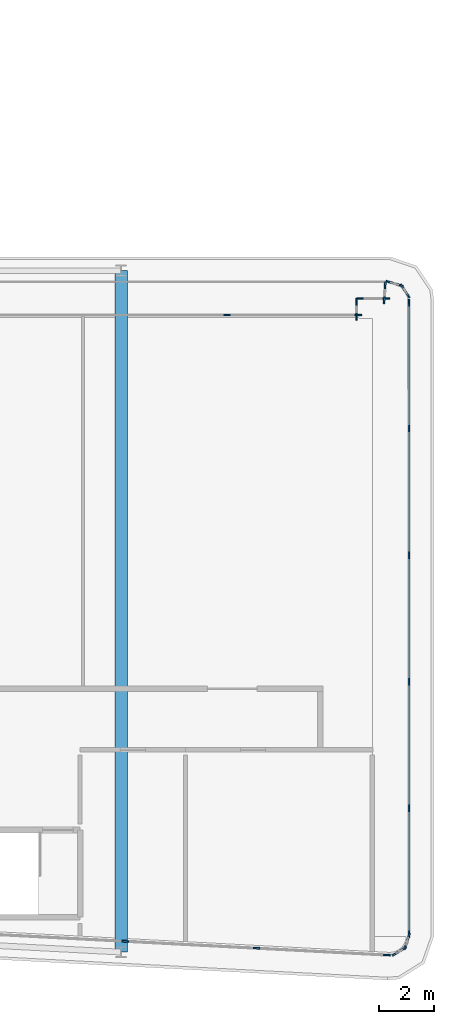
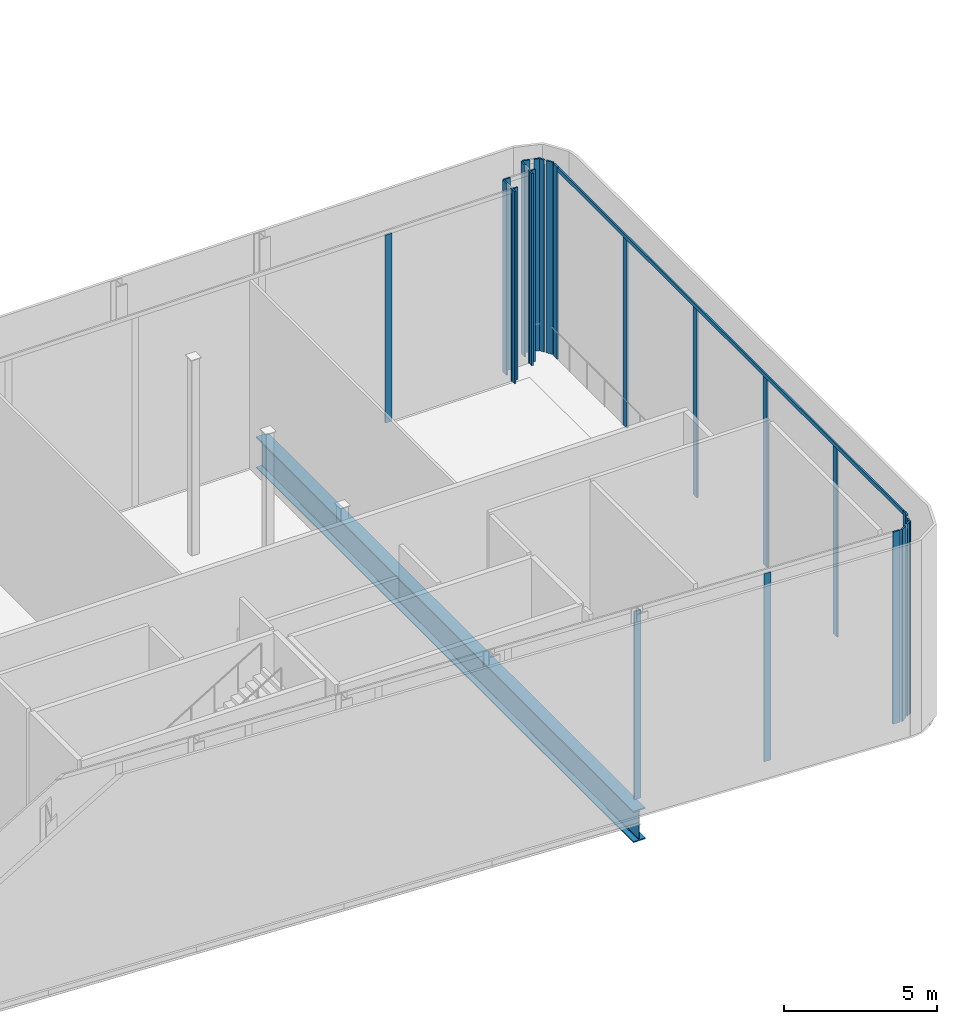
# One storey, part 17 of 38: 26 members, 1 beam, 10 elements without a shape of their own.
"""IFC4 building model written with IfcOpenShell, lengths in metres."""

from ifc_helpers import new_model, si_unit, direction, frame, origin, origin_2d, place, context, subcontext, project, spatial, rectangle, i_section, extrude, material, layer, layer_set, material_profile, profile_set, type_object, element, aggregate, save


model = new_model("IFC4")

# Units and contexts
model_context = context("Model", 3, precision=1e-05, world=origin(), true_north=direction((0.0, 1.0)))
body_context = subcontext(model_context, "Body", "Model", "MODEL_VIEW")
ifc_project = project(units=[si_unit("LENGTHUNIT", "METRE"), si_unit("AREAUNIT", "SQUARE_METRE"), si_unit("VOLUMEUNIT", "CUBIC_METRE"), si_unit("PLANEANGLEUNIT", "RADIAN"), si_unit("MASSUNIT", "GRAM", prefix="KILO")], contexts=[model_context])

# Site, building, storey
site_placement = place(None, origin())
site = spatial("IfcSite", under=ifc_project, at=site_placement, CompositionType="ELEMENT")
building_placement = place(site_placement, origin())
building = spatial("IfcBuilding", under=site, at=building_placement, Name="Kheshtan School and Residences Tower", CompositionType="ELEMENT")
storey_placement = place(building_placement, frame((0.0, 0.0, 203.300048828125)))
storey = spatial("IfcBuildingStorey", under=building, at=storey_placement, Name="L48", CompositionType="ELEMENT", Elevation=203.300048828125)

# Curtain wall, members
ifc_material_1 = material(Name="Clear low-e glass in thermally broken aluminium frame", Category="aluminium")
ifc_layer_1 = layer(ifc_material_1, 0.25)
ifc_layer_set_1 = layer_set([ifc_layer_1], Name="Curtain wall CW-G")
curtain_wall_type_1 = type_object("IfcCurtainWallType", Name="Curtain wall CW-G", PredefinedType="NOTDEFINED", material=ifc_layer_set_1)
curtain_wall_1_placement = place(storey_placement, origin())
curtain_wall_1 = element("IfcCurtainWall", 1, at=curtain_wall_1_placement, inside=storey, type_object=curtain_wall_type_1, Name="Curtain wall CWG5a", PredefinedType="NOTDEFINED")
ifc_material_2 = material(Name="Thermally broken aluminium, dark bronze anodised", Category="aluminium")
ifc_material_profile_1 = material_profile(ifc_material_2, rectangle(XDim=0.06005859375, YDim=0.25, at=origin_2d()), Name="CW-G mullion 60x250")
ifc_profile_set_1 = profile_set([ifc_material_profile_1], Name="Thermally broken aluminium, dark bronze anodised")
member_type_1 = type_object("IfcMemberType", Name="CW-G mullion 60x250", PredefinedType="MULLION", material=ifc_profile_set_1)
member_1_placement = place(storey_placement, frame((94.6259765625, 44.0, 0.0), z_axis=(0.0, 0.0, 1.0), x_axis=(0.0, 1.0, 0.0)))
member_1 = element("IfcMember", 2, at=member_1_placement, type_object=member_type_1, Name="CWG5a mullion 5", PredefinedType="MULLION", context=body_context, shape_type="SweptSolid", body=[
    extrude(rectangle(XDim=0.06005859375, YDim=0.25, at=origin_2d()), origin(), (0.0, 0.0, 1.0), 7.489990234375),
])
member_2_placement = place(storey_placement, frame((99.3701171875, 44.0, 0.0), z_axis=(0.0, 0.0, 1.0), x_axis=(0.0, 1.0, 0.0)))
member_2 = element("IfcMember", 3, at=member_2_placement, type_object=member_type_1, Name="CWG5a mullion 6", PredefinedType="MULLION", context=body_context, shape_type="SweptSolid", body=[
    extrude(rectangle(XDim=0.06005859375, YDim=0.25, at=origin_2d()), origin(), (0.0, 0.0, 1.0), 7.64990234375),
])
aggregate(curtain_wall_1, [member_1, member_2])

ifc_layer_2 = layer(ifc_material_1, 0.25)
ifc_layer_set_2 = layer_set([ifc_layer_2], Name="Curtain wall CW-K")
curtain_wall_type_2 = type_object("IfcCurtainWallType", Name="Curtain wall CW-K", PredefinedType="NOTDEFINED", material=ifc_layer_set_2)
curtain_wall_2_placement = place(storey_placement, origin())
curtain_wall_2 = element("IfcCurtainWall", 4, at=curtain_wall_2_placement, inside=storey, type_object=curtain_wall_type_2, Name="Curtain wall CWK6", PredefinedType="NOTDEFINED")
ifc_material_profile_2 = material_profile(ifc_material_2, rectangle(XDim=0.06005859375, YDim=0.25, at=origin_2d()), Name="CW-K mullion 60x250")
ifc_profile_set_2 = profile_set([ifc_material_profile_2], Name="Thermally broken aluminium, dark bronze anodised")
member_type_2 = type_object("IfcMemberType", Name="CW-K mullion 60x250", PredefinedType="MULLION", material=ifc_profile_set_2)
member_3_placement = place(storey_placement, frame((99.300048828125, 43.929931640625, 0.0), z_axis=(0.0, 0.0, 1.0), x_axis=(-1.0, 0.0, 0.0)))
member_3 = element("IfcMember", 5, at=member_3_placement, type_object=member_type_2, Name="CWK6 mullion 1", PredefinedType="MULLION", context=body_context, shape_type="SweptSolid", body=[
    extrude(rectangle(XDim=0.06005859375, YDim=0.25, at=origin_2d()), origin(), (0.0, 0.0, 1.0), 7.64990234375),
])
member_4_placement = place(storey_placement, frame((99.300048828125, 44.469970703125, 0.0), z_axis=(0.0, 0.0, 1.0), x_axis=(-1.0, 0.0, 0.0)))
member_4 = element("IfcMember", 6, at=member_4_placement, type_object=member_type_2, Name="CWK6 mullion 2", PredefinedType="MULLION", context=body_context, shape_type="SweptSolid", body=[
    extrude(rectangle(XDim=0.06005859375, YDim=0.25, at=origin_2d()), origin(), (0.0, 0.0, 1.0), 7.64990234375),
])
aggregate(curtain_wall_2, [member_3, member_4])

curtain_wall_3_placement = place(storey_placement, origin())
curtain_wall_3 = element("IfcCurtainWall", 7, at=curtain_wall_3_placement, inside=storey, type_object=curtain_wall_type_2, Name="Curtain wall CWK7", PredefinedType="NOTDEFINED")
member_5_placement = place(storey_placement, frame((99.429931640625, 44.60009765625, 0.0), z_axis=(0.0, 0.0, 1.0), x_axis=(0.0, 1.0, 0.0)))
member_5 = element("IfcMember", 8, at=member_5_placement, type_object=member_type_2, Name="CWK7 mullion 1", PredefinedType="MULLION", context=body_context, shape_type="SweptSolid", body=[
    extrude(rectangle(XDim=0.06005859375, YDim=0.25, at=origin_2d()), origin(), (0.0, 0.0, 1.0), 7.64990234375),
])
member_6_placement = place(storey_placement, frame((100.37109375, 44.60009765625, 0.0), z_axis=(0.0, 0.0, 1.0), x_axis=(0.0, 1.0, 0.0)))
member_6 = element("IfcMember", 9, at=member_6_placement, type_object=member_type_2, Name="CWK7 mullion 2", PredefinedType="MULLION", context=body_context, shape_type="SweptSolid", body=[
    extrude(rectangle(XDim=0.06005859375, YDim=0.25, at=origin_2d()), origin(), (0.0, 0.0, 1.0), 7.64990234375),
])
aggregate(curtain_wall_3, [member_5, member_6])

curtain_wall_4_placement = place(storey_placement, origin())
curtain_wall_4 = element("IfcCurtainWall", 10, at=curtain_wall_4_placement, inside=storey, type_object=curtain_wall_type_2, Name="Curtain wall CWK8", PredefinedType="NOTDEFINED")
member_7_placement = place(storey_placement, frame((100.30322265625, 44.536376953125, 0.0), z_axis=(0.0, 0.0, 1.0), x_axis=(-0.997894170503, 0.06486312108, 0.0)))
member_7 = element("IfcMember", 11, at=member_7_placement, type_object=member_type_2, Name="CWK8 mullion 1", PredefinedType="MULLION", context=body_context, shape_type="SweptSolid", body=[
    extrude(rectangle(XDim=0.06005859375, YDim=0.25, at=origin_2d()), origin(), (0.0, 0.0, 1.0), 7.64990234375),
])
member_8_placement = place(storey_placement, frame((100.33837890625, 45.07666015625, 0.0), z_axis=(0.0, 0.0, 1.0), x_axis=(-0.997894170503, 0.06486312108, 0.0)))
member_8 = element("IfcMember", 12, at=member_8_placement, type_object=member_type_2, Name="CWK8 mullion 2", PredefinedType="MULLION", context=body_context, shape_type="SweptSolid", body=[
    extrude(rectangle(XDim=0.06005859375, YDim=0.25, at=origin_2d()), origin(), (0.0, 0.0, 1.0), 7.64990234375),
])
aggregate(curtain_wall_4, [member_7, member_8])

curtain_wall_5_placement = place(storey_placement, origin())
curtain_wall_5 = element("IfcCurtainWall", 13, at=curtain_wall_5_placement, inside=storey, type_object=curtain_wall_type_2, Name="Curtain wall CWK9", PredefinedType="NOTDEFINED")
member_9_placement = place(storey_placement, frame((100.4970703125, 45.187255859375, 0.0), z_axis=(0.0, 0.0, 1.0), x_axis=(0.284241942661, 0.958752584368, 0.0)))
member_9 = element("IfcMember", 14, at=member_9_placement, type_object=member_type_2, Name="CWK9 mullion 1", PredefinedType="MULLION", context=body_context, shape_type="SweptSolid", body=[
    extrude(rectangle(XDim=0.06005859375, YDim=0.25, at=origin_2d()), origin(), (0.0, 0.0, 1.0), 7.64990234375),
])
member_10_placement = place(storey_placement, frame((100.86474609375, 45.078369140625, 0.0), z_axis=(0.0, 0.0, 1.0), x_axis=(0.284241942661, 0.958752584368, 0.0)))
member_10 = element("IfcMember", 15, at=member_10_placement, type_object=member_type_2, Name="CWK9 mullion 2", PredefinedType="MULLION", context=body_context, shape_type="SweptSolid", body=[
    extrude(rectangle(XDim=0.06005859375, YDim=0.25, at=origin_2d()), origin(), (0.0, 0.0, 1.0), 7.64990234375),
])
aggregate(curtain_wall_5, [member_9, member_10])

curtain_wall_6_placement = place(storey_placement, origin())
curtain_wall_6 = element("IfcCurtainWall", 16, at=curtain_wall_6_placement, inside=storey, type_object=curtain_wall_type_2, Name="Curtain wall CWK10", PredefinedType="NOTDEFINED")
member_11_placement = place(storey_placement, frame((100.96484375, 45.004638671875, 0.0), z_axis=(0.0, 0.0, 1.0), x_axis=(0.831648992198, 0.555301678168, 0.0)))
member_11 = element("IfcMember", 17, at=member_11_placement, type_object=member_type_2, Name="CWK10 mullion 1", PredefinedType="MULLION", context=body_context, shape_type="SweptSolid", body=[
    extrude(rectangle(XDim=0.06005859375, YDim=0.25, at=origin_2d()), origin(), (0.0, 0.0, 1.0), 7.64990234375),
])
member_12_placement = place(storey_placement, frame((101.14453125, 44.735595703125, 0.0), z_axis=(0.0, 0.0, 1.0), x_axis=(0.831648992198, 0.555301678168, 0.0)))
member_12 = element("IfcMember", 18, at=member_12_placement, type_object=member_type_2, Name="CWK10 mullion 2", PredefinedType="MULLION", context=body_context, shape_type="SweptSolid", body=[
    extrude(rectangle(XDim=0.06005859375, YDim=0.25, at=origin_2d()), origin(), (0.0, 0.0, 1.0), 7.64990234375),
])
aggregate(curtain_wall_6, [member_11, member_12])

curtain_wall_7_placement = place(storey_placement, origin())
curtain_wall_7 = element("IfcCurtainWall", 19, at=curtain_wall_7_placement, inside=storey, type_object=curtain_wall_type_2, Name="Curtain wall CWK11", PredefinedType="NOTDEFINED")
member_13_placement = place(storey_placement, frame((101.199951171875, 44.43994140625, 0.0), z_axis=(0.0, 0.0, 1.0), x_axis=(1.0, 0.0, 0.0)))
member_13 = element("IfcMember", 20, at=member_13_placement, type_object=member_type_2, Name="CWK11 mullion 1", PredefinedType="MULLION", context=body_context, shape_type="SweptSolid", body=[
    extrude(rectangle(XDim=0.06005859375, YDim=0.25, at=origin_2d()), origin(), (0.0, 0.0, 1.0), 7.64990234375),
])
member_14_placement = place(storey_placement, frame((101.199951171875, 39.8984375, 0.0), z_axis=(0.0, 0.0, 1.0), x_axis=(1.0, 0.0, 0.0)))
member_14 = element("IfcMember", 21, at=member_14_placement, type_object=member_type_2, Name="CWK11 mullion 2", PredefinedType="MULLION", context=body_context, shape_type="SweptSolid", body=[
    extrude(rectangle(XDim=0.06005859375, YDim=0.25, at=origin_2d()), origin(), (0.0, 0.0, 1.0), 7.489990234375),
])
member_15_placement = place(storey_placement, frame((101.199951171875, 35.326904296875, 0.0), z_axis=(0.0, 0.0, 1.0), x_axis=(1.0, 0.0, 0.0)))
member_15 = element("IfcMember", 22, at=member_15_placement, type_object=member_type_2, Name="CWK11 mullion 3", PredefinedType="MULLION", context=body_context, shape_type="SweptSolid", body=[
    extrude(rectangle(XDim=0.06005859375, YDim=0.25, at=origin_2d()), origin(), (0.0, 0.0, 1.0), 7.489990234375),
])
member_16_placement = place(storey_placement, frame((101.199951171875, 30.755126953125, 0.0), z_axis=(0.0, 0.0, 1.0), x_axis=(1.0, 0.0, 0.0)))
member_16 = element("IfcMember", 23, at=member_16_placement, type_object=member_type_2, Name="CWK11 mullion 4", PredefinedType="MULLION", context=body_context, shape_type="SweptSolid", body=[
    extrude(rectangle(XDim=0.06005859375, YDim=0.25, at=origin_2d()), origin(), (0.0, 0.0, 1.0), 7.489990234375),
])
member_17_placement = place(storey_placement, frame((101.199951171875, 26.18359375, 0.0), z_axis=(0.0, 0.0, 1.0), x_axis=(1.0, 0.0, 0.0)))
member_17 = element("IfcMember", 24, at=member_17_placement, type_object=member_type_2, Name="CWK11 mullion 5", PredefinedType="MULLION", context=body_context, shape_type="SweptSolid", body=[
    extrude(rectangle(XDim=0.06005859375, YDim=0.25, at=origin_2d()), origin(), (0.0, 0.0, 1.0), 7.489990234375),
])
member_18_placement = place(storey_placement, frame((101.199951171875, 21.64208984375, 0.0), z_axis=(0.0, 0.0, 1.0), x_axis=(1.0, 0.0, 0.0)))
member_18 = element("IfcMember", 25, at=member_18_placement, type_object=member_type_2, Name="CWK11 mullion 6", PredefinedType="MULLION", context=body_context, shape_type="SweptSolid", body=[
    extrude(rectangle(XDim=0.06005859375, YDim=0.25, at=origin_2d()), origin(), (0.0, 0.0, 1.0), 7.64990234375),
])

curtain_wall_8_placement = place(storey_placement, origin())
curtain_wall_8 = element("IfcCurtainWall", 26, at=curtain_wall_8_placement, inside=storey, type_object=curtain_wall_type_2, Name="Curtain wall CWK12", PredefinedType="NOTDEFINED")
member_19_placement = place(storey_placement, frame((101.185791015625, 21.552490234375, 0.0), z_axis=(0.0, 0.0, 1.0), x_axis=(0.950548766961, -0.310575339699, 0.0)))
member_19 = element("IfcMember", 27, at=member_19_placement, type_object=member_type_2, Name="CWK12 mullion 1", PredefinedType="MULLION", context=body_context, shape_type="SweptSolid", body=[
    extrude(rectangle(XDim=0.06005859375, YDim=0.25, at=origin_2d()), origin(), (0.0, 0.0, 1.0), 7.64990234375),
])
member_20_placement = place(storey_placement, frame((101.072265625, 21.20556640625, 0.0), z_axis=(0.0, 0.0, 1.0), x_axis=(0.950548766961, -0.310575339699, 0.0)))
member_20 = element("IfcMember", 28, at=member_20_placement, type_object=member_type_2, Name="CWK12 mullion 2", PredefinedType="MULLION", context=body_context, shape_type="SweptSolid", body=[
    extrude(rectangle(XDim=0.06005859375, YDim=0.25, at=origin_2d()), origin(), (0.0, 0.0, 1.0), 7.64990234375),
])
aggregate(curtain_wall_8, [member_19, member_20])

curtain_wall_9_placement = place(storey_placement, origin())
curtain_wall_9 = element("IfcCurtainWall", 29, at=curtain_wall_9_placement, inside=storey, type_object=curtain_wall_type_2, Name="Curtain wall CWK13", PredefinedType="NOTDEFINED")
member_21_placement = place(storey_placement, frame((100.995361328125, 21.107177734375, 0.0), z_axis=(0.0, 0.0, 1.0), x_axis=(0.527300652118, -0.849678775936, 0.0)))
member_21 = element("IfcMember", 30, at=member_21_placement, type_object=member_type_2, Name="CWK13 mullion 1", PredefinedType="MULLION", context=body_context, shape_type="SweptSolid", body=[
    extrude(rectangle(XDim=0.06005859375, YDim=0.25, at=origin_2d()), origin(), (0.0, 0.0, 1.0), 7.64990234375),
])
member_22_placement = place(storey_placement, frame((100.706298828125, 20.927734375, 0.0), z_axis=(0.0, 0.0, 1.0), x_axis=(0.527300652118, -0.849678775936, 0.0)))
member_22 = element("IfcMember", 31, at=member_22_placement, type_object=member_type_2, Name="CWK13 mullion 2", PredefinedType="MULLION", context=body_context, shape_type="SweptSolid", body=[
    extrude(rectangle(XDim=0.06005859375, YDim=0.25, at=origin_2d()), origin(), (0.0, 0.0, 1.0), 7.64990234375),
])
aggregate(curtain_wall_9, [member_21, member_22])

curtain_wall_10_placement = place(storey_placement, origin())
curtain_wall_10 = element("IfcCurtainWall", 32, at=curtain_wall_10_placement, inside=storey, type_object=curtain_wall_type_2, Name="Curtain wall CWK14", PredefinedType="NOTDEFINED")
member_23_placement = place(storey_placement, frame((100.40283203125, 20.884765625, 0.0), z_axis=(0.0, 0.0, 1.0), x_axis=(-0.052569888839, -0.998617247391, 0.0)))
member_23 = element("IfcMember", 33, at=member_23_placement, type_object=member_type_2, Name="CWK14 mullion 1", PredefinedType="MULLION", context=body_context, shape_type="SweptSolid", body=[
    extrude(rectangle(XDim=0.06005859375, YDim=0.25, at=origin_2d()), origin(), (0.0, 0.0, 1.0), 7.64990234375),
])
member_24_placement = place(storey_placement, frame((95.69189453125, 21.1328125, 0.0), z_axis=(0.0, 0.0, 1.0), x_axis=(-0.052569888839, -0.998617247391, 0.0)))
member_24 = element("IfcMember", 34, at=member_24_placement, type_object=member_type_2, Name="CWK14 mullion 2", PredefinedType="MULLION", context=body_context, shape_type="SweptSolid", body=[
    extrude(rectangle(XDim=0.06005859375, YDim=0.25, at=origin_2d()), origin(), (0.0, 0.0, 1.0), 7.489990234375),
])
member_25_placement = place(storey_placement, frame((90.950927734375, 21.38232421875, 0.0), z_axis=(0.0, 0.0, 1.0), x_axis=(-0.052569888839, -0.998617247391, 0.0)))
member_25 = element("IfcMember", 35, at=member_25_placement, type_object=member_type_2, Name="CWK14 mullion 3", PredefinedType="MULLION", context=body_context, shape_type="SweptSolid", body=[
    extrude(rectangle(XDim=0.06005859375, YDim=0.25, at=origin_2d()), origin(), (0.0, 0.0, 1.0), 7.489990234375),
])
aggregate(curtain_wall_10, [member_23, member_24, member_25])

# Member
ifc_material_profile_3 = material_profile(ifc_material_2, rectangle(XDim=0.06005859375, YDim=0.159912109375, at=origin_2d()), Name="CW-K transom 60x160")
ifc_profile_set_3 = profile_set([ifc_material_profile_3], Name="Thermally broken aluminium, dark bronze anodised")
member_type_3 = type_object("IfcMemberType", Name="CW-K transom 60x160", PredefinedType="USERDEFINED", material=ifc_profile_set_3)
member_26_placement = place(storey_placement, frame((101.199951171875, 44.409912109375, 7.570068359375), z_axis=(0.0, -1.0, 0.0), x_axis=(1.0, 0.0, 0.0)))
member_26 = element("IfcMember", 36, at=member_26_placement, type_object=member_type_3, Name="CWK11 transom 1", ObjectType="TRANSOM", PredefinedType="USERDEFINED", context=body_context, shape_type="SweptSolid", body=[
    extrude(rectangle(XDim=0.06005859375, YDim=0.159912109375, at=origin_2d()), origin(), (0.0, 0.0, 1.0), 22.73779296875),
])

aggregate(curtain_wall_7, [member_13, member_14, member_15, member_16, member_17, member_18, member_26])

# Beam
ifc_material_3 = material(Name="Steel ASTM A992 Grade 50", Category="steel")
ifc_material_profile_4 = material_profile(ifc_material_3, i_section(OverallWidth=0.449951171875, OverallDepth=1.25, WebThickness=0.02490234375, FlangeThickness=0.044921875, FilletRadius=0.03759765625, at=origin_2d()), Name="WWF1250x546")
ifc_profile_set_4 = profile_set([ifc_material_profile_4], Name="Steel ASTM A992 Grade 50")
beam_type = type_object("IfcBeamType", Name="Transfer girder TG4 WWF1250x546 ASTM A992 Grade 50", PredefinedType="BEAM", material=ifc_profile_set_4)
beam_placement = place(storey_placement, frame((90.800048828125, 45.60009765625, -0.775146484375), z_axis=(0.0, -1.0, 0.0), x_axis=(1.0, 0.0, 0.0)))
element("IfcBeam", 37, at=beam_placement, inside=storey, type_object=beam_type, Name="Transfer girder C068-C006", PredefinedType="BEAM", context=body_context, shape_type="SweptSolid", body=[
    extrude(i_section(OverallWidth=0.449951171875, OverallDepth=1.25, WebThickness=0.02490234375, FlangeThickness=0.044921875, FilletRadius=0.03759765625, at=origin_2d()), origin(), (0.0, 0.0, 1.0), 24.610107421875),
])

save(model, "model.ifc")
